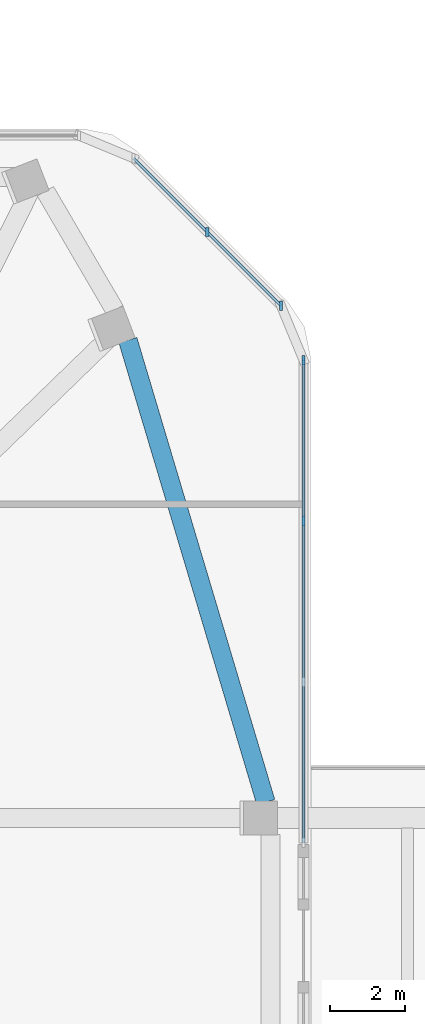
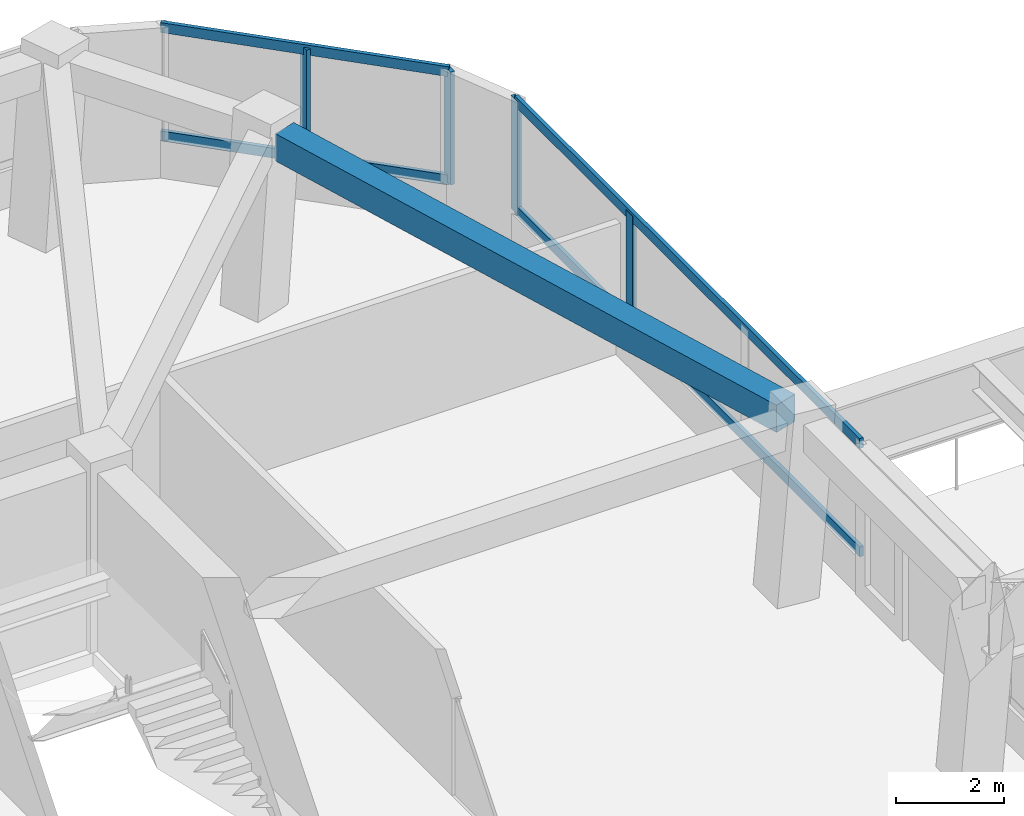
# One storey, part 5 of 13: 8 members, 1 beam, 2 elements without a shape of their own.
"""IFC4 building model written with IfcOpenShell, lengths in metres."""

from ifc_helpers import new_model, si_unit, derived_unit, direction, frame, origin, origin_2d, place, context, subcontext, project, spatial, rectangle, extrude, material, material_profile, profile_set, type_object, element, aggregate, save


model = new_model("IFC4")

# Units and contexts
model_context = context("Model", 3, precision=1e-05, world=origin(), true_north=direction((0.0, 1.0)))
body_context = subcontext(model_context, "Body", "Model", "MODEL_VIEW")
ifc_project = project(units=[si_unit("LENGTHUNIT", "METRE"), si_unit("AREAUNIT", "SQUARE_METRE"), si_unit("VOLUMEUNIT", "CUBIC_METRE"), si_unit("PLANEANGLEUNIT", "RADIAN"), si_unit("MASSUNIT", "GRAM", prefix="KILO"), derived_unit("THERMALTRANSMITTANCEUNIT", [(si_unit("POWERUNIT", "WATT"), 1), (si_unit("LENGTHUNIT", "METRE"), -2), (si_unit("THERMODYNAMICTEMPERATUREUNIT", "KELVIN"), -1)])], contexts=[model_context])

# Site, building, storey
site_placement = place(None, origin())
site = spatial("IfcSite", under=ifc_project, at=site_placement, CompositionType="ELEMENT")
building_placement = place(site_placement, origin())
building = spatial("IfcBuilding", under=site, at=building_placement, Name="Koralith Skygarden Medical Center", CompositionType="ELEMENT")
storey_placement = place(building_placement, frame((0.0, 0.0, 188.4599609375)))
storey = spatial("IfcBuildingStorey", under=building, at=storey_placement, Name="L48", CompositionType="ELEMENT", Elevation=188.4599609375)

# Curtain wall, members
ifc_material_1 = material(Name="Clear Laminated Glass", Category="glass")
curtain_wall_type = type_object("IfcCurtainWallType", Name="CW-7 Sky-Garden & Pool Conservatory Wall", PredefinedType="NOTDEFINED", material=ifc_material_1)
curtain_wall_1_placement = place(storey_placement, origin())
curtain_wall_1 = element("IfcCurtainWall", 1, at=curtain_wall_1_placement, inside=storey, type_object=curtain_wall_type, Name="Curtain Wall CW-L48-E-R", PredefinedType="NOTDEFINED")
ifc_material_2 = material(Name="Aluminium 6063-T6", Category="aluminium")
ifc_material_profile_1 = material_profile(ifc_material_2, rectangle(XDim=0.0859375, YDim=0.25, at=origin_2d()), Name="MUL86X250")
ifc_profile_set_1 = profile_set([ifc_material_profile_1], Name="Aluminium 6063-T6")
member_type_1 = type_object("IfcMemberType", Name="CW-7 Extruded Mullion 86x250", PredefinedType="MULLION", material=ifc_profile_set_1)
member_1_placement = place(storey_placement, frame((61.179931640625, 37.199951171875, 0.85009765625), z_axis=(0.0, 0.0, 1.0), x_axis=(1.0, 0.0, 0.0)))
member_1 = element("IfcMember", 2, at=member_1_placement, type_object=member_type_1, Name="CW-L48-E-R Mullion 3", PredefinedType="MULLION", context=body_context, shape_type="SweptSolid", body=[
    extrude(rectangle(XDim=0.0859375, YDim=0.25, at=origin_2d()), origin(), (0.0, 0.0, 1.0), 2.56005859375),
])
member_2_placement = place(storey_placement, frame((61.179931640625, 41.47998046875, 0.85009765625), z_axis=(0.0, 0.0, 1.0), x_axis=(1.0, 0.0, 0.0)))
member_2 = element("IfcMember", 3, at=member_2_placement, type_object=member_type_1, Name="CW-L48-E-R Mullion 4", PredefinedType="MULLION", context=body_context, shape_type="SweptSolid", body=[
    extrude(rectangle(XDim=0.0859375, YDim=0.25, at=origin_2d()), origin(), (0.0, 0.0, 1.0), 2.56005859375),
])

curtain_wall_2_placement = place(storey_placement, origin())
curtain_wall_2 = element("IfcCurtainWall", 4, at=curtain_wall_2_placement, inside=storey, type_object=curtain_wall_type, Name="Curtain Wall CW-L48-NE", PredefinedType="NOTDEFINED")
member_3_placement = place(storey_placement, frame((60.5791015625, 42.930908203125, 0.85009765625), z_axis=(0.0, 0.0, 1.0), x_axis=(1.0, 0.0, 0.0)))
member_3 = element("IfcMember", 5, at=member_3_placement, type_object=member_type_1, Name="CW-L48-NE Mullion 1", PredefinedType="MULLION", context=body_context, shape_type="SweptSolid", body=[
    extrude(rectangle(XDim=0.0859375, YDim=0.25, at=origin_2d()), origin(), (0.0, 0.0, 1.0), 2.56005859375),
])
member_4_placement = place(storey_placement, frame((58.616943359375, 44.89208984375, 0.85009765625), z_axis=(0.0, 0.0, 1.0), x_axis=(1.0, 0.0, 0.0)))
member_4 = element("IfcMember", 6, at=member_4_placement, type_object=member_type_1, Name="CW-L48-NE Mullion 2", PredefinedType="MULLION", context=body_context, shape_type="SweptSolid", body=[
    extrude(rectangle(XDim=0.0859375, YDim=0.25, at=origin_2d()), origin(), (0.0, 0.0, 1.0), 2.56005859375),
])

# Member
ifc_material_profile_2 = material_profile(ifc_material_2, rectangle(XDim=0.0810546875, YDim=0.22509765625, at=origin_2d()), Name="TRN81X225")
ifc_profile_set_2 = profile_set([ifc_material_profile_2], Name="Aluminium 6063-T6")
member_type_2 = type_object("IfcMemberType", Name="CW-7 Thermal Transom 81x225", PredefinedType="USERDEFINED", material=ifc_profile_set_2)
member_5_placement = place(storey_placement, frame((61.179931640625, 28.639892578125, 0.900146484375), z_axis=(0.0, 1.0, 0.0), x_axis=(-1.0, 0.0, 0.0)))
member_5 = element("IfcMember", 7, at=member_5_placement, type_object=member_type_2, Name="CW-L48-E-R Transom 1", ObjectType="TRANSOM", PredefinedType="USERDEFINED", context=body_context, shape_type="SweptSolid", body=[
    extrude(rectangle(XDim=0.0810546875, YDim=0.22509765625, at=origin_2d()), origin(), (0.0, 0.0, 1.0), 12.840087890625),
])

member_6_placement = place(storey_placement, frame((61.179931640625, 28.639892578125, 3.360107421875), z_axis=(0.0, 1.0, 0.0), x_axis=(-1.0, 0.0, 0.0)))
member_6 = element("IfcMember", 8, at=member_6_placement, type_object=member_type_2, Name="CW-L48-E-R Transom 2", ObjectType="TRANSOM", PredefinedType="USERDEFINED", context=body_context, shape_type="SweptSolid", body=[
    extrude(rectangle(XDim=0.0810546875, YDim=0.22509765625, at=origin_2d()), origin(), (0.0, 0.0, 1.0), 12.840087890625),
])

aggregate(curtain_wall_1, [member_1, member_2, member_5, member_6])

member_7_placement = place(storey_placement, frame((60.5791015625, 42.930908203125, 0.900146484375), z_axis=(-0.707106781187, 0.707106781187, 0.0), x_axis=(-0.707106781187, -0.707106781187, 0.0)))
member_7 = element("IfcMember", 9, at=member_7_placement, type_object=member_type_2, Name="CW-L48-NE Transom 1", ObjectType="TRANSOM", PredefinedType="USERDEFINED", context=body_context, shape_type="SweptSolid", body=[
    extrude(rectangle(XDim=0.0810546875, YDim=0.22509765625, at=origin_2d()), origin(), (0.0, 0.0, 1.0), 5.548095703125),
])

member_8_placement = place(storey_placement, frame((60.5791015625, 42.930908203125, 3.360107421875), z_axis=(-0.707106781187, 0.707106781187, 0.0), x_axis=(-0.707106781187, -0.707106781187, 0.0)))
member_8 = element("IfcMember", 10, at=member_8_placement, type_object=member_type_2, Name="CW-L48-NE Transom 2", ObjectType="TRANSOM", PredefinedType="USERDEFINED", context=body_context, shape_type="SweptSolid", body=[
    extrude(rectangle(XDim=0.0810546875, YDim=0.22509765625, at=origin_2d()), origin(), (0.0, 0.0, 1.0), 5.548095703125),
])

aggregate(curtain_wall_2, [member_3, member_4, member_7, member_8])

# Beam
ifc_material_3 = material(Name="Concrete C45/55", Category="concrete")
ifc_material_profile_3 = material_profile(ifc_material_3, rectangle(XDim=0.5, YDim=0.6201171875, at=origin_2d()), Name="RCB500X620")
ifc_profile_set_3 = profile_set([ifc_material_profile_3], Name="Concrete C45/55")
beam_type = type_object("IfcBeamType", Name="Zone 4-5 Spandrel Beam RCB500X620", PredefinedType="SPANDREL", material=ifc_profile_set_3)
beam_placement = place(storey_placement, frame((60.177001953125, 29.721923828125, 3.72998046875), z_axis=(-0.285985440229, 0.958233963068, 0.0), x_axis=(-0.958233963068, -0.285985440229, 0.0)))
element("IfcBeam", 11, at=beam_placement, inside=storey, type_object=beam_type, Name="L48 Perimeter Spandrel Beam SP-09", PredefinedType="SPANDREL", context=body_context, shape_type="SweptSolid", body=[
    extrude(rectangle(XDim=0.5, YDim=0.6201171875, at=origin_2d()), origin(), (0.0, 0.0, 1.0), 12.82568359375),
])

save(model, "model.ifc")
